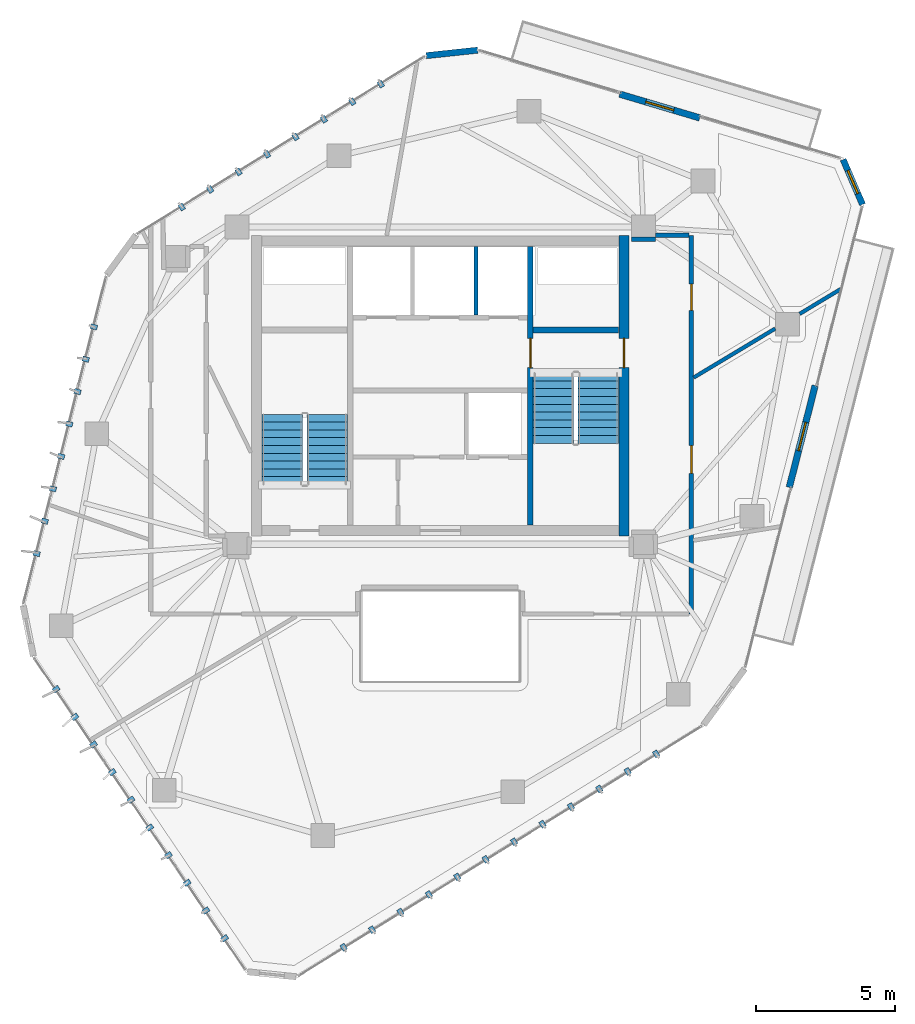
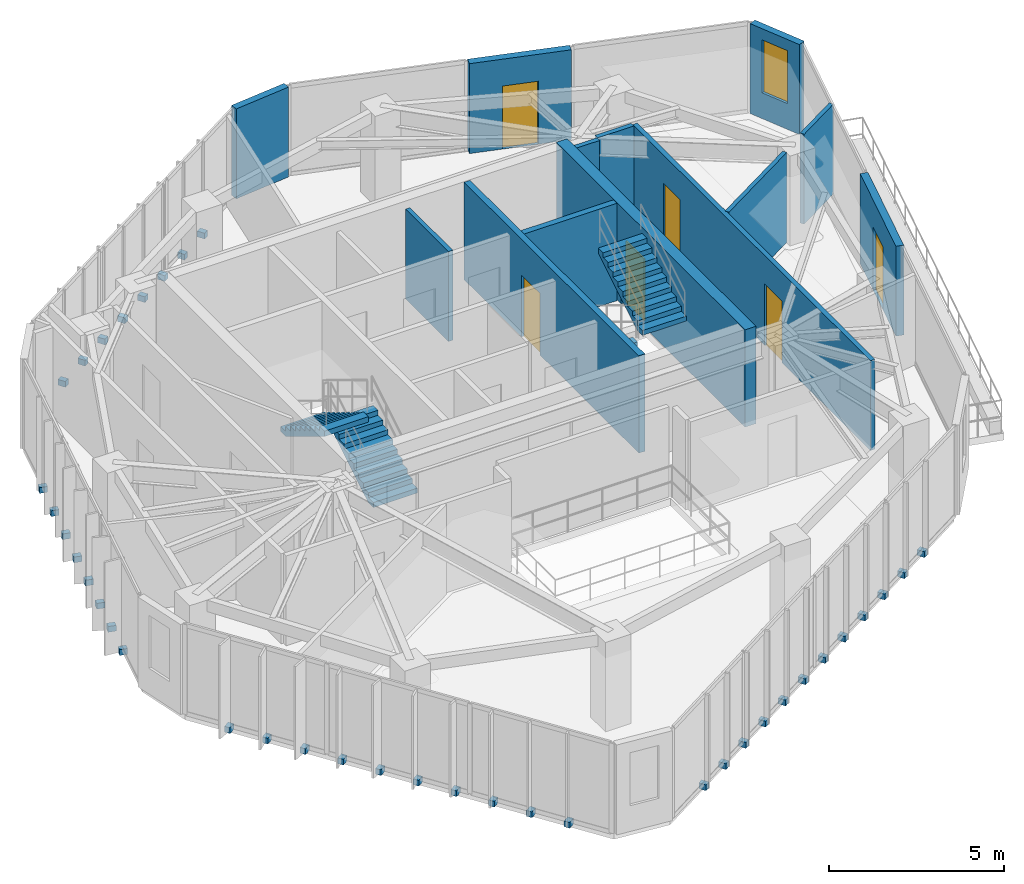
# One storey, part 18 of 20: 38 discrete accessories, 13 walls, 6 doors, 4 stair flights, 1 window, 7 openings, 2 elements without a shape of their own.
"""IFC4 building model written with IfcOpenShell, lengths in metres."""

from ifc_helpers import new_model, si_unit, direction, frame, frame_2d, origin, origin_2d, place, context, subcontext, project, spatial, polyline, rectangle, outline, extrude, source, transform, mapped, material, layer, layer_set, type_object, type_shapes, element, fill, aggregate, save


model = new_model("IFC4")

# Units and contexts
model_context = context("Model", 3, precision=1e-05, world=origin(), true_north=direction((0.0, 1.0)))
body_context = subcontext(model_context, "Body", "Model", "MODEL_VIEW")
ifc_project = project(units=[si_unit("LENGTHUNIT", "METRE"), si_unit("AREAUNIT", "SQUARE_METRE"), si_unit("VOLUMEUNIT", "CUBIC_METRE"), si_unit("PLANEANGLEUNIT", "RADIAN"), si_unit("MASSUNIT", "GRAM", prefix="KILO")], contexts=[model_context])

# Site, building, storey
site_placement = place(None, origin())
site = spatial("IfcSite", under=ifc_project, at=site_placement, CompositionType="ELEMENT")
building_placement = place(site_placement, origin())
building = spatial("IfcBuilding", under=site, at=building_placement, Name="Talar Marvaseh", CompositionType="ELEMENT")
storey_placement = place(building_placement, frame((0.0, 0.0, 251.0)))
storey = spatial("IfcBuildingStorey", under=building, at=storey_placement, Name="L66", CompositionType="ELEMENT", Elevation=251.0)

# Wall
ifc_material_1 = material(Name="Precast concrete C45/55", Category="concrete")
ifc_layer_1 = layer(ifc_material_1, 0.22509765625)
ifc_layer_set_1 = layer_set([ifc_layer_1], Name="Precast concrete C45/55")
wall_type_1 = type_object("IfcWallType", Name="Chamfered Hexagonal Corner Pier Wall Z4 225", PredefinedType="SOLIDWALL", material=ifc_layer_set_1)
wall_1_placement = place(storey_placement, frame((25.498291015625, 43.053466796875, 0.0), z_axis=(0.0, 0.0, 1.0), x_axis=(0.99429670988, 0.106649204036, 0.0)))
element("IfcWall", 1, at=wall_1_placement, inside=storey, type_object=wall_type_1, Name="L66 Chamfered Corner Limestone Pier 4", PredefinedType="SOLIDWALL", context=body_context, shape_type="SweptSolid", body=[
    extrude(rectangle(XDim=1.8564453125, YDim=0.22509765625, at=frame_2d((0.92822265625, 0.0))), origin(), (0.0, 0.0, 1.0), 3.139892578125),
])

# Wall, opening, window
wall_2_placement = place(storey_placement, frame((40.472412109375, 39.3212890625, 0.0), z_axis=(0.0, 0.0, 1.0), x_axis=(0.396013063417, -0.918244876709, 0.0)))
wall_2 = element("IfcWall", 2, at=wall_2_placement, inside=storey, type_object=wall_type_1, Name="L66 Chamfered Corner Limestone Pier 5", PredefinedType="SOLIDWALL", context=body_context, shape_type="SweptSolid", body=[
    extrude(rectangle(XDim=1.75830078125, YDim=0.22509765625, at=frame_2d((0.879150390625, 0.0))), origin(), (0.0, 0.0, 1.0), 3.139892578125),
])
opening_1_placement = place(wall_2_placement, frame((0.428955078125, 0.0, 0.89990234375)))
opening_1 = element("IfcOpeningElement", 3, at=opening_1_placement, cuts=wall_2, Name="Opening WN-CHM09", PredefinedType="OPENING", context=body_context, shape_type="SweptSolid", body=[
    extrude(rectangle(XDim=0.89990234375, YDim=1.85009765625, at=frame_2d((0.449951171875, 0.925048828125))), frame((0.0, 0.12255859375, 0.0), z_axis=(0.0, -1.0, 0.0), x_axis=(1.0, 0.0, 0.0)), (0.0, 0.0, 1.0), 0.2451171875),
])
ifc_material_2 = material(Name="Laminated Low-E Solar Glass", Category="glass")
window_type = type_object("IfcWindowType", Name="Zone 4 Chamfered Corner Slot Window 900x1850", PartitioningType="SINGLE_PANEL", PredefinedType="WINDOW", material=ifc_material_2)
shared_shape_1 = source(origin(), body_context, "Body", "SweptSolid", [
    extrude(rectangle(XDim=0.89990234375, YDim=1.85009765625, at=frame_2d((0.449951171875, 0.925048828125))), frame((0.0, 0.030029296875, 0.0), z_axis=(0.0, -1.0, 0.0), x_axis=(1.0, 0.0, 0.0)), (0.0, 0.0, 1.0), 0.06005859375),
])
type_shapes(window_type, [shared_shape_1])
window_placement = place(opening_1_placement, origin())
window = element("IfcWindow", 4, at=window_placement, inside=storey, type_object=window_type, Name="L66 Chamfered Corner Slot Window", OverallHeight=1.85009765625, OverallWidth=0.89990234375, PartitioningType="SINGLE_PANEL", PredefinedType="WINDOW", context=body_context, shape_type="MappedRepresentation", body=[
    mapped(shared_shape_1, transform((0.0, 0.0, 0.0), x_axis=(1.0, 0.0, 0.0), y_axis=(0.0, 1.0, 0.0), z_axis=(0.0, 0.0, 1.0), scale=1.0)),
])
fill(opening_1, window)

# Wall, openings, doors
ifc_material_3 = material(Name="Gypsum Board Partition Assembly")
ifc_layer_2 = layer(ifc_material_3, 0.155029296875)
ifc_layer_set_2 = layer_set([ifc_layer_2], Name="Gypsum Board Partition Assembly")
wall_type_2 = type_object("IfcWallType", Name="Corridor Fire-Rated Acoustic Partition 155", PredefinedType="PARTITIONING", material=ifc_layer_set_2)
wall_3_placement = place(storey_placement, frame((35.02001953125, 36.60009765625, 0.0), z_axis=(0.0, 0.0, 1.0), x_axis=(0.0, -1.0, 0.0)))
wall_3 = element("IfcWall", 5, at=wall_3_placement, inside=storey, type_object=wall_type_2, Name="L66 Interior Partition Wall", PredefinedType="PARTITIONING", context=body_context, shape_type="SweptSolid", body=[
    extrude(rectangle(XDim=13.60009765625, YDim=0.155029296875, at=frame_2d((6.800048828125, 0.0))), origin(), (0.0, 0.0, 1.0), 3.139892578125),
])
opening_2_placement = place(wall_3_placement, frame((7.552490234375, 0.0, 0.0)))
opening_2 = element("IfcOpeningElement", 6, at=opening_2_placement, cuts=wall_3, Name="Opening DR-RM100", PredefinedType="OPENING", context=body_context, shape_type="SweptSolid", body=[
    extrude(rectangle(XDim=1.0, YDim=2.14990234375, at=frame_2d((0.5, 1.074951171875))), frame((0.0, 0.08740234375, 0.0), z_axis=(0.0, -1.0, 0.0), x_axis=(1.0, 0.0, 0.0)), (0.0, 0.0, 1.0), 0.175048828125),
])
opening_3_placement = place(wall_3_placement, frame((1.74951171875, 0.0, 0.0)))
opening_3 = element("IfcOpeningElement", 7, at=opening_3_placement, cuts=wall_3, Name="Opening DR-WC095", PredefinedType="OPENING", context=body_context, shape_type="SweptSolid", body=[
    extrude(rectangle(XDim=0.949951171875, YDim=2.14990234375, at=frame_2d((0.47509765625, 1.074951171875))), frame((0.0, 0.08740234375, 0.0), z_axis=(0.0, -1.0, 0.0), x_axis=(1.0, 0.0, 0.0)), (0.0, 0.0, 1.0), 0.175048828125),
])
ifc_material_4 = material(Name="Acoustic Engineered Oak Timber", Category="wood")
door_type_1 = type_object("IfcDoorType", Name="Washroom and Service Room Door 950x2150", OperationType="NOTDEFINED", PredefinedType="DOOR", material=ifc_material_4)
shared_shape_2 = source(origin(), body_context, "Body", "SweptSolid", [
    extrude(rectangle(XDim=0.949951171875, YDim=2.14990234375, at=frame_2d((0.47509765625, 1.074951171875))), frame((0.0, 0.02490234375, 0.0), z_axis=(0.0, -1.0, 0.0), x_axis=(1.0, 0.0, 0.0)), (0.0, 0.0, 1.0), 0.050048828125),
])
type_shapes(door_type_1, [shared_shape_2])
door_1_placement = place(opening_3_placement, origin())
door_1 = element("IfcDoor", 8, at=door_1_placement, inside=storey, type_object=door_type_1, Name="L66 Collection Conservation Store Door", OperationType="SINGLE_SWING_RIGHT", OverallHeight=2.14990234375, OverallWidth=0.949951171875, PredefinedType="DOOR", context=body_context, shape_type="MappedRepresentation", body=[
    mapped(shared_shape_2, transform((0.0, 0.0, 0.0), x_axis=(1.0, 0.0, 0.0), y_axis=(0.0, 1.0, 0.0), z_axis=(0.0, 0.0, 1.0), scale=1.0)),
])
fill(opening_3, door_1)
door_type_2 = type_object("IfcDoorType", Name="Corridor Fire-Rated Gallery Door 1000x2150", OperationType="NOTDEFINED", PredefinedType="DOOR", material=ifc_material_4)
shared_shape_3 = source(origin(), body_context, "Body", "SweptSolid", [
    extrude(rectangle(XDim=1.0, YDim=2.14990234375, at=frame_2d((0.5, 1.074951171875))), frame((0.0, 0.02490234375, 0.0), z_axis=(0.0, -1.0, 0.0), x_axis=(1.0, 0.0, 0.0)), (0.0, 0.0, 1.0), 0.050048828125),
])
type_shapes(door_type_2, [shared_shape_3])
door_2_placement = place(opening_2_placement, origin())
door_2 = element("IfcDoor", 9, at=door_2_placement, inside=storey, type_object=door_type_2, Name="L66 Artisan Craft Showroom Door", OperationType="SINGLE_SWING_LEFT", OverallHeight=2.14990234375, OverallWidth=1.0, PredefinedType="DOOR", context=body_context, shape_type="MappedRepresentation", body=[
    mapped(shared_shape_3, transform((0.0, 0.0, 0.0), x_axis=(1.0, 0.0, 0.0), y_axis=(0.0, 1.0, 0.0), z_axis=(0.0, 0.0, 1.0), scale=1.0)),
])
fill(opening_2, door_2)

# Walls
wall_4_placement = place(storey_placement, frame((32.8701171875, 36.464599609375, 0.0), z_axis=(0.0, 0.0, 1.0), x_axis=(0.999986873463, -0.005123758532, 0.0)))
element("IfcWall", 10, at=wall_4_placement, inside=storey, type_object=wall_type_2, Name="L66 Interior Partition Wall", PredefinedType="PARTITIONING", context=body_context, shape_type="SweptSolid", body=[
    extrude(rectangle(XDim=0.857666015625, YDim=0.155029296875, at=frame_2d((0.4287109375, 0.0))), origin(), (0.0, 0.0, 1.0), 3.139892578125),
])
wall_5_placement = place(storey_placement, frame((33.739990234375, 36.60009765625, 0.0), z_axis=(0.0, 0.0, 1.0), x_axis=(1.0, 0.0, 0.0)))
element("IfcWall", 11, at=wall_5_placement, inside=storey, type_object=wall_type_2, Name="L66 Interior Partition Wall", PredefinedType="PARTITIONING", context=body_context, shape_type="SweptSolid", body=[
    extrude(rectangle(XDim=1.196533203125, YDim=0.155029296875, at=frame_2d((0.59814453125, 0.0))), origin(), (0.0, 0.0, 1.0), 3.139892578125),
])
ifc_layer_3 = layer(ifc_material_1, 0.14501953125)
ifc_layer_set_3 = layer_set([ifc_layer_3], Name="Precast concrete C45/55")
wall_type_3 = type_object("IfcWallType", Name="Fire-Rated Lift Divider Wall 145", PredefinedType="SOLIDWALL", material=ifc_layer_set_3)
wall_6_placement = place(storey_placement, frame((27.280029296875, 33.743408203125, 0.0), z_axis=(0.0, 0.0, 1.0), x_axis=(0.0, 1.0, 0.0)))
element("IfcWall", 12, at=wall_6_placement, inside=storey, type_object=wall_type_3, Name="L66 FFL-2/SVL-1 Divider", PredefinedType="SOLIDWALL", context=body_context, shape_type="SweptSolid", body=[
    extrude(rectangle(XDim=2.45654296875, YDim=0.14501953125, at=frame_2d((1.228271484375, 0.0))), origin(), (0.0, 0.0, 1.0), 3.139892578125),
])
ifc_layer_4 = layer(ifc_material_3, 0.135009765625)
ifc_layer_set_4 = layer_set([ifc_layer_4], Name="Gypsum Board Partition Assembly")
wall_type_4 = type_object("IfcWallType", Name="Gallery High-Acoustic Partition 135", PredefinedType="PARTITIONING", material=ifc_layer_set_4)
wall_7_placement = place(storey_placement, frame((35.103515625, 31.490234375, 0.0), z_axis=(0.0, 0.0, 1.0), x_axis=(0.856994170777, 0.515326101857, 0.0)))
element("IfcWall", 13, at=wall_7_placement, inside=storey, type_object=wall_type_4, Name="L66 Interior Partition Wall", PredefinedType="PARTITIONING", context=body_context, shape_type="SweptSolid", body=[
    extrude(rectangle(XDim=3.414794921875, YDim=0.135009765625, at=frame_2d((1.70751953125, 0.0))), origin(), (0.0, 0.0, 1.0), 3.139892578125),
])
wall_8_placement = place(storey_placement, frame((38.909912109375, 33.780029296875, 0.0), z_axis=(0.0, 0.0, 1.0), x_axis=(0.856296257726, 0.516484964935, 0.0)))
element("IfcWall", 14, at=wall_8_placement, inside=storey, type_object=wall_type_4, Name="L66 Interior Partition Wall", PredefinedType="PARTITIONING", context=body_context, shape_type="SweptSolid", body=[
    extrude(rectangle(XDim=1.7314453125, YDim=0.135009765625, at=frame_2d((0.86572265625, 0.0))), origin(), (0.0, 0.0, 1.0), 3.139892578125),
])

# Wall, opening, door
ifc_material_5 = material(Name="Concrete C50/60", Category="concrete")
ifc_layer_5 = layer(ifc_material_5, 0.199951171875)
ifc_layer_set_5 = layer_set([ifc_layer_5], Name="Concrete C50/60")
wall_type_5 = type_object("IfcWallType", Name="Stair Shaft Structural Concrete Shear Wall 200", PredefinedType="SHEAR", material=ifc_layer_set_5)
wall_9_placement = place(storey_placement, frame((29.239990234375, 26.199951171875, 0.0), z_axis=(0.0, 0.0, 1.0), x_axis=(0.0, 1.0, 0.0)))
wall_9 = element("IfcWall", 15, at=wall_9_placement, inside=storey, type_object=wall_type_5, Name="L66 Core East Stair Shear Wall", PredefinedType="SHEAR", context=body_context, shape_type="SweptSolid", body=[
    extrude(rectangle(XDim=10.0, YDim=0.199951171875, at=frame_2d((5.0, 0.0))), origin(), (0.0, 0.0, 1.0), 3.39990234375),
])
opening_4_placement = place(wall_9_placement, frame((5.64990234375, 0.0, 0.0)))
opening_4 = element("IfcOpeningElement", 16, at=opening_4_placement, cuts=wall_9, Name="Opening DR-ST105", PredefinedType="OPENING", context=body_context, shape_type="SweptSolid", body=[
    extrude(rectangle(XDim=1.050048828125, YDim=2.14990234375, at=frame_2d((0.52490234375, 1.074951171875))), frame((0.0, 0.10986328125, 0.0), z_axis=(0.0, -1.0, 0.0), x_axis=(1.0, 0.0, 0.0)), (0.0, 0.0, 1.0), 0.219970703125),
])
ifc_material_6 = material(Name="Fire-Rated Steel Door Leaf", Category="steel")
door_type_3 = type_object("IfcDoorType", Name="Protected Exit Stair Fire Door 1050x2150", OperationType="NOTDEFINED", PredefinedType="DOOR", material=ifc_material_6)
shared_shape_4 = source(origin(), body_context, "Body", "SweptSolid", [
    extrude(rectangle(XDim=1.050048828125, YDim=2.14990234375, at=frame_2d((0.52490234375, 1.074951171875))), frame((0.0, 0.02490234375, 0.0), z_axis=(0.0, -1.0, 0.0), x_axis=(1.0, 0.0, 0.0)), (0.0, 0.0, 1.0), 0.050048828125),
])
type_shapes(door_type_3, [shared_shape_4])
door_3_placement = place(opening_4_placement, origin())
door_3 = element("IfcDoor", 17, at=door_3_placement, inside=storey, type_object=door_type_3, Name="L66 Firefighting Lobby to Stair ST-2 Door", OperationType="SINGLE_SWING_LEFT", OverallHeight=2.14990234375, OverallWidth=1.050048828125, PredefinedType="DOOR", context=body_context, shape_type="MappedRepresentation", body=[
    mapped(shared_shape_4, transform((0.0, 0.0, 0.0), x_axis=(1.0, 0.0, 0.0), y_axis=(0.0, 1.0, 0.0), z_axis=(0.0, 0.0, 1.0), scale=1.0)),
])
fill(opening_4, door_3)

# Wall
wall_10_placement = place(storey_placement, frame((29.340087890625, 33.199951171875, 0.0), z_axis=(0.0, 0.0, 1.0), x_axis=(1.0, 0.0, 0.0)))
element("IfcWall", 18, at=wall_10_placement, inside=storey, type_object=wall_type_5, Name="L66 Stair ST-2 North Shear Wall", PredefinedType="SHEAR", context=body_context, shape_type="SweptSolid", body=[
    extrude(rectangle(XDim=3.059814453125, YDim=0.199951171875, at=frame_2d((1.52978515625, 0.0))), origin(), (0.0, 0.0, 1.0), 3.39990234375),
])

# Wall, opening, door
ifc_layer_6 = layer(ifc_material_1, 0.235107421875)
ifc_layer_set_6 = layer_set([ifc_layer_6], Name="Precast concrete C45/55")
wall_type_6 = type_object("IfcWallType", Name="Terrace Threshold Glazed Spandrel Wall 235", PredefinedType="SOLIDWALL", material=ifc_layer_set_6)
wall_11_placement = place(storey_placement, frame((32.44677734375, 41.673095703125, 0.0), z_axis=(0.0, 0.0, 1.0), x_axis=(0.958322169895, -0.285689724506, 0.0)))
wall_11 = element("IfcWall", 19, at=wall_11_placement, inside=storey, type_object=wall_type_6, Name="L66 Terrace Threshold Wall", PredefinedType="SOLIDWALL", context=body_context, shape_type="SweptSolid", body=[
    extrude(rectangle(XDim=2.99951171875, YDim=0.235107421875, at=frame_2d((1.499755859375, 0.0))), origin(), (0.0, 0.0, 1.0), 3.139892578125),
])
opening_5_placement = place(wall_11_placement, frame((0.97509765625, 0.0, 0.0)))
opening_5 = element("IfcOpeningElement", 20, at=opening_5_placement, cuts=wall_11, Name="Opening DR-TER10", PredefinedType="OPENING", context=body_context, shape_type="SweptSolid", body=[
    extrude(rectangle(XDim=1.050048828125, YDim=2.199951171875, at=frame_2d((0.52490234375, 1.10009765625))), frame((0.0, 0.12744140625, 0.0), z_axis=(0.0, -1.0, 0.0), x_axis=(1.0, 0.0, 0.0)), (0.0, 0.0, 1.0), 0.255126953125),
])
ifc_material_7 = material(Name="Architectural Aluminium", Category="aluminium")
door_type_4 = type_object("IfcDoorType", Name="External Terrace Weatherproof Glazed Door 1050x2200", OperationType="NOTDEFINED", PredefinedType="DOOR", material=ifc_material_7)
shared_shape_5 = source(origin(), body_context, "Body", "SweptSolid", [
    extrude(rectangle(XDim=1.050048828125, YDim=2.199951171875, at=frame_2d((0.52490234375, 1.10009765625))), frame((0.0, 0.02490234375, 0.0), z_axis=(0.0, -1.0, 0.0), x_axis=(1.0, 0.0, 0.0)), (0.0, 0.0, 1.0), 0.050048828125),
])
type_shapes(door_type_4, [shared_shape_5])
door_4_placement = place(opening_5_placement, origin())
door_4 = element("IfcDoor", 21, at=door_4_placement, inside=storey, type_object=door_type_4, Name="L66 External Planted Terrace Access Door", OperationType="SINGLE_SWING_LEFT", OverallHeight=2.199951171875, OverallWidth=1.050048828125, PredefinedType="DOOR", context=body_context, shape_type="MappedRepresentation", body=[
    mapped(shared_shape_5, transform((0.0, 0.0, 0.0), x_axis=(1.0, 0.0, 0.0), y_axis=(0.0, 1.0, 0.0), z_axis=(0.0, 0.0, 1.0), scale=1.0)),
])
fill(opening_5, door_4)

wall_12_placement = place(storey_placement, frame((39.466552734375, 31.202392578125, 0.0), z_axis=(0.0, 0.0, 1.0), x_axis=(-0.246295727505, -0.969194724817, 0.0)))
wall_12 = element("IfcWall", 22, at=wall_12_placement, inside=storey, type_object=wall_type_6, Name="L66 Terrace Threshold Wall", PredefinedType="SOLIDWALL", context=body_context, shape_type="SweptSolid", body=[
    extrude(rectangle(XDim=3.771728515625, YDim=0.235107421875, at=frame_2d((1.8857421875, 0.0))), origin(), (0.0, 0.0, 1.0), 3.139892578125),
])
opening_6_placement = place(wall_12_placement, frame((1.361083984375, 0.0, 0.0)))
opening_6 = element("IfcOpeningElement", 23, at=opening_6_placement, cuts=wall_12, Name="Opening DR-TER10", PredefinedType="OPENING", context=body_context, shape_type="SweptSolid", body=[
    extrude(rectangle(XDim=1.050048828125, YDim=2.199951171875, at=frame_2d((0.52490234375, 1.10009765625))), frame((0.0, 0.12744140625, 0.0), z_axis=(0.0, -1.0, 0.0), x_axis=(1.0, 0.0, 0.0)), (0.0, 0.0, 1.0), 0.255126953125),
])
door_5_placement = place(opening_6_placement, origin())
door_5 = element("IfcDoor", 24, at=door_5_placement, inside=storey, type_object=door_type_4, Name="L66 External Planted Terrace Access Door", OperationType="SINGLE_SWING_RIGHT", OverallHeight=2.199951171875, OverallWidth=1.050048828125, PredefinedType="DOOR", context=body_context, shape_type="MappedRepresentation", body=[
    mapped(shared_shape_5, transform((0.0, 0.0, 0.0), x_axis=(1.0, 0.0, 0.0), y_axis=(0.0, 1.0, 0.0), z_axis=(0.0, 0.0, 1.0), scale=1.0)),
])
fill(opening_6, door_5)

ifc_layer_7 = layer(ifc_material_5, 0.360107421875)
ifc_layer_set_7 = layer_set([ifc_layer_7], Name="Concrete C50/60")
wall_type_7 = type_object("IfcWallType", Name="Upper Core Reinforced Concrete Shear Wall 360", PredefinedType="SHEAR", material=ifc_layer_set_7)
wall_13_placement = place(storey_placement, frame((32.60009765625, 36.60009765625, 0.0), z_axis=(0.0, 0.0, 1.0), x_axis=(0.0, -1.0, 0.0)))
wall_13 = element("IfcWall", 25, at=wall_13_placement, inside=storey, type_object=wall_type_7, Name="L66 East Core Shear Wall", PredefinedType="SHEAR", context=body_context, shape_type="SweptSolid", body=[
    extrude(rectangle(XDim=10.800048828125, YDim=0.360107421875, at=frame_2d((5.39990234375, 0.0))), origin(), (0.0, 0.0, 1.0), 3.39990234375),
])
opening_7_placement = place(wall_13_placement, frame((3.699951171875, 0.0, 0.0)))
opening_7 = element("IfcOpeningElement", 26, at=opening_7_placement, cuts=wall_13, Name="Opening DR-ST105", PredefinedType="OPENING", context=body_context, shape_type="SweptSolid", body=[
    extrude(rectangle(XDim=1.050048828125, YDim=2.14990234375, at=frame_2d((0.52490234375, 1.074951171875))), frame((0.0, 0.18994140625, 0.0), z_axis=(0.0, -1.0, 0.0), x_axis=(1.0, 0.0, 0.0)), (0.0, 0.0, 1.0), 0.380126953125),
])
door_6_placement = place(opening_7_placement, origin())
door_6 = element("IfcDoor", 27, at=door_6_placement, inside=storey, type_object=door_type_3, Name="L66 Stair ST-2 Corridor Exit Door", OperationType="SINGLE_SWING_LEFT", OverallHeight=2.14990234375, OverallWidth=1.050048828125, PredefinedType="DOOR", context=body_context, shape_type="MappedRepresentation", body=[
    mapped(shared_shape_4, transform((0.0, 0.0, 0.0), x_axis=(1.0, 0.0, 0.0), y_axis=(0.0, 1.0, 0.0), z_axis=(0.0, 0.0, 1.0), scale=1.0)),
])
fill(opening_7, door_6)

# Stair, stair flights
ifc_material_8 = material(Name="Concrete C40/50", Category="concrete")
stair_type = type_object("IfcStairType", Name="Reinforced Concrete High-Rise Exit Stair Type C", PredefinedType="HALF_TURN_STAIR", material=ifc_material_8)
stair_1_placement = place(storey_placement, origin())
stair_1 = element("IfcStair", 28, at=stair_1_placement, inside=storey, type_object=stair_type, Name="L66 Tower West Core Exit Stair", PredefinedType="HALF_TURN_STAIR")
ifc_layer_8 = layer(ifc_material_8, 0.159912109375)
ifc_layer_set_8 = layer_set([ifc_layer_8], Name="Concrete C40/50")
stair_flight_type = type_object("IfcStairFlightType", Name="Reinforced Concrete Straight Stair Flight 160", PredefinedType="STRAIGHT", material=ifc_layer_set_8)
stair_flight_1_placement = place(storey_placement, frame((21.93505859375, 27.64990234375, 0.0), z_axis=(0.0, 0.0, 1.0), x_axis=(0.0, 1.0, 0.0)))
stair_flight_1 = element("IfcStairFlight", 29, at=stair_flight_1_placement, type_object=stair_flight_type, Name="ST-1 flight 1", NumberOfRisers=10, NumberOfTreads=9, PredefinedType="STRAIGHT", RiserHeight=0.17, TreadLength=0.28, context=body_context, shape_type="SweptSolid", body=[
    extrude(outline(polyline([(0.0, 0.0), (0.0, 0.169921875), (0.280029296875, 0.169921875), (0.280029296875, 0.340087890625), (0.56005859375, 0.340087890625), (0.56005859375, 0.510009765625), (0.840087890625, 0.510009765625), (0.840087890625, 0.679931640625), (1.1201171875, 0.679931640625), (1.1201171875, 0.85009765625), (1.39990234375, 0.85009765625), (1.39990234375, 1.02001953125), (1.679931640625, 1.02001953125), (1.679931640625, 1.18994140625), (1.9599609375, 1.18994140625), (1.9599609375, 1.360107421875), (2.239990234375, 1.360107421875), (2.239990234375, 1.530029296875), (2.52001953125, 1.530029296875), (2.52001953125, 1.699951171875), (2.52001953125, 1.343017578125), (0.30810546875, 0.0), (0.0, 0.0)])), frame((0.0, 0.72509765625, 0.0), z_axis=(0.0, -1.0, 0.0), x_axis=(1.0, 0.0, 0.0)), (0.0, 0.0, 1.0), 1.449951171875),
])
stair_flight_2_placement = place(storey_placement, frame((20.324951171875, 30.169921875, 1.699951171875), z_axis=(0.0, 0.0, 1.0), x_axis=(0.0, -1.0, 0.0)))
stair_flight_2 = element("IfcStairFlight", 30, at=stair_flight_2_placement, type_object=stair_flight_type, Name="ST-1 flight 2", NumberOfRisers=10, NumberOfTreads=9, PredefinedType="STRAIGHT", RiserHeight=0.17, TreadLength=0.28, context=body_context, shape_type="SweptSolid", body=[
    extrude(outline(polyline([(0.0, 0.0), (0.0, 0.169921875), (0.280029296875, 0.169921875), (0.280029296875, 0.340087890625), (0.56005859375, 0.340087890625), (0.56005859375, 0.510009765625), (0.840087890625, 0.510009765625), (0.840087890625, 0.679931640625), (1.1201171875, 0.679931640625), (1.1201171875, 0.85009765625), (1.39990234375, 0.85009765625), (1.39990234375, 1.02001953125), (1.679931640625, 1.02001953125), (1.679931640625, 1.18994140625), (1.9599609375, 1.18994140625), (1.9599609375, 1.360107421875), (2.239990234375, 1.360107421875), (2.239990234375, 1.530029296875), (2.52001953125, 1.530029296875), (2.52001953125, 1.699951171875), (2.52001953125, 1.343017578125), (0.30810546875, 0.0), (0.0, 0.0)])), frame((0.0, 0.72509765625, 0.0), z_axis=(0.0, -1.0, 0.0), x_axis=(1.0, 0.0, 0.0)), (0.0, 0.0, 1.0), 1.449951171875),
])
aggregate(stair_1, [stair_flight_1, stair_flight_2])

stair_2_placement = place(storey_placement, origin())
stair_2 = element("IfcStair", 31, at=stair_2_placement, inside=storey, type_object=stair_type, Name="L66 Tower East Core Exit Stair", PredefinedType="HALF_TURN_STAIR")
stair_flight_3_placement = place(storey_placement, frame((30.06494140625, 31.64990234375, 0.0), z_axis=(0.0, 0.0, 1.0), x_axis=(0.0, -1.0, 0.0)))
stair_flight_3 = element("IfcStairFlight", 32, at=stair_flight_3_placement, type_object=stair_flight_type, Name="ST-2 flight 1", NumberOfRisers=10, NumberOfTreads=9, PredefinedType="STRAIGHT", RiserHeight=0.17, TreadLength=0.28, context=body_context, shape_type="SweptSolid", body=[
    extrude(outline(polyline([(0.0, 0.0), (0.0, 0.169921875), (0.280029296875, 0.169921875), (0.280029296875, 0.340087890625), (0.56005859375, 0.340087890625), (0.56005859375, 0.510009765625), (0.840087890625, 0.510009765625), (0.840087890625, 0.679931640625), (1.1201171875, 0.679931640625), (1.1201171875, 0.85009765625), (1.39990234375, 0.85009765625), (1.39990234375, 1.02001953125), (1.679931640625, 1.02001953125), (1.679931640625, 1.18994140625), (1.9599609375, 1.18994140625), (1.9599609375, 1.360107421875), (2.239990234375, 1.360107421875), (2.239990234375, 1.530029296875), (2.52001953125, 1.530029296875), (2.52001953125, 1.699951171875), (2.52001953125, 1.343017578125), (0.30810546875, 0.0), (0.0, 0.0)])), frame((0.0, 0.72509765625, 0.0), z_axis=(0.0, -1.0, 0.0), x_axis=(1.0, 0.0, 0.0)), (0.0, 0.0, 1.0), 1.449951171875),
])
stair_flight_4_placement = place(storey_placement, frame((31.675048828125, 29.1298828125, 1.699951171875), z_axis=(0.0, 0.0, 1.0), x_axis=(0.0, 1.0, 0.0)))
stair_flight_4 = element("IfcStairFlight", 33, at=stair_flight_4_placement, type_object=stair_flight_type, Name="ST-2 flight 2", NumberOfRisers=10, NumberOfTreads=9, PredefinedType="STRAIGHT", RiserHeight=0.17, TreadLength=0.28, context=body_context, shape_type="SweptSolid", body=[
    extrude(outline(polyline([(0.0, 0.0), (0.0, 0.169921875), (0.280029296875, 0.169921875), (0.280029296875, 0.340087890625), (0.56005859375, 0.340087890625), (0.56005859375, 0.510009765625), (0.840087890625, 0.510009765625), (0.840087890625, 0.679931640625), (1.1201171875, 0.679931640625), (1.1201171875, 0.85009765625), (1.39990234375, 0.85009765625), (1.39990234375, 1.02001953125), (1.679931640625, 1.02001953125), (1.679931640625, 1.18994140625), (1.9599609375, 1.18994140625), (1.9599609375, 1.360107421875), (2.239990234375, 1.360107421875), (2.239990234375, 1.530029296875), (2.52001953125, 1.530029296875), (2.52001953125, 1.699951171875), (2.52001953125, 1.343017578125), (0.30810546875, 0.0), (0.0, 0.0)])), frame((0.0, 0.72509765625, 0.0), z_axis=(0.0, -1.0, 0.0), x_axis=(1.0, 0.0, 0.0)), (0.0, 0.0, 1.0), 1.449951171875),
])
aggregate(stair_2, [stair_flight_3, stair_flight_4])

# Discrete accessories
ifc_material_9 = material(Name="Stainless Steel Grade 316", Category="steel")
discrete_accessory_type = type_object("IfcDiscreteAccessoryType", Name="Stainless Slab-Edge Fin Mounting Bracket", PredefinedType="BRACKET", material=ifc_material_9)
shared_shape_6 = source(origin(), body_context, "Body", "SweptSolid", [
    extrude(rectangle(XDim=0.239990234375, YDim=0.179931640625, at=origin_2d()), origin(), (0.0, 0.0, 1.0), 0.199951171875),
])
type_shapes(discrete_accessory_type, [shared_shape_6])
for number, where, z_axis, x_axis, name in (
    (34, (18.25634765625, 11.353515625, -0.18017578125), (0.0, 0.0, 1.0), (-0.828060334622, -0.560638994563, 0.0), "L66 Vertical Fin Slab-Edge Bracket"),
    (35, (17.583740234375, 12.347412109375, -0.18017578125), (0.0, 0.0, 1.0), (-0.828060334622, -0.560638994563, 0.0), "L66 Vertical Fin Slab-Edge Bracket"),
    (36, (16.910888671875, 13.341064453125, -0.18017578125), (0.0, 0.0, 1.0), (-0.828060334622, -0.560638994563, 0.0), "L66 Vertical Fin Slab-Edge Bracket"),
    (37, (16.23828125, 14.334716796875, -0.18017578125), (0.0, 0.0, 1.0), (-0.828060334622, -0.560638994563, 0.0), "L66 Vertical Fin Slab-Edge Bracket"),
    (38, (15.565673828125, 15.32861328125, -0.18017578125), (0.0, 0.0, 1.0), (-0.828060334622, -0.560638994563, 0.0), "L66 Vertical Fin Slab-Edge Bracket"),
    (39, (14.892822265625, 16.322265625, -0.18017578125), (0.0, 0.0, 1.0), (-0.828060334622, -0.560638994563, 0.0), "L66 Vertical Fin Slab-Edge Bracket"),
    (40, (14.22021484375, 17.31591796875, -0.18017578125), (0.0, 0.0, 1.0), (-0.828060334622, -0.560638994563, 0.0), "L66 Vertical Fin Slab-Edge Bracket"),
    (41, (13.547607421875, 18.3095703125, -0.18017578125), (0.0, 0.0, 1.0), (-0.828060334622, -0.560638994563, 0.0), "L66 Vertical Fin Slab-Edge Bracket"),
    (42, (12.874755859375, 19.30322265625, -0.18017578125), (0.0, 0.0, 1.0), (-0.828060334622, -0.560638994563, 0.0), "L66 Vertical Fin Slab-Edge Bracket"),
    (43, (12.2021484375, 20.297119140625, -0.18017578125), (0.0, 0.0, 1.0), (-0.828060334622, -0.560638994563, 0.0), "L66 Vertical Fin Slab-Edge Bracket"),
    (44, (11.501953125, 25.16796875, -0.18017578125), (0.0, 0.0, 1.0), (-0.969530919263, 0.244968970675, 0.0), "L66 Vertical Fin Slab-Edge Bracket"),
    (45, (11.7958984375, 26.331298828125, -0.18017578125), (0.0, 0.0, 1.0), (-0.969530919263, 0.244968970675, 0.0), "L66 Vertical Fin Slab-Edge Bracket"),
    (46, (12.090087890625, 27.494873046875, -0.18017578125), (0.0, 0.0, 1.0), (-0.969530919263, 0.244968970675, 0.0), "L66 Vertical Fin Slab-Edge Bracket"),
    (47, (12.384033203125, 28.658203125, -0.18017578125), (0.0, 0.0, 1.0), (-0.969530919263, 0.244968970675, 0.0), "L66 Vertical Fin Slab-Edge Bracket"),
    (48, (12.677978515625, 29.82177734375, -0.18017578125), (0.0, 0.0, 1.0), (-0.969530919263, 0.244968970675, 0.0), "L66 Vertical Fin Slab-Edge Bracket"),
    (49, (12.971923828125, 30.985107421875, -0.18017578125), (0.0, 0.0, 1.0), (-0.969530919263, 0.244968970675, 0.0), "L66 Vertical Fin Slab-Edge Bracket"),
    (50, (13.26611328125, 32.148681640625, -0.18017578125), (0.0, 0.0, 1.0), (-0.969530919263, 0.244968970675, 0.0), "L66 Vertical Fin Slab-Edge Bracket"),
    (51, (13.56005859375, 33.31201171875, -0.18017578125), (0.0, 0.0, 1.0), (-0.969530919263, 0.244968970675, 0.0), "L66 Vertical Fin Slab-Edge Bracket"),
    (52, (16.71630859375, 37.61669921875, -0.18017578125), (0.0, 0.0, 1.0), (-0.525174629961, 0.850994481795, 0.0), "L66 Vertical Fin Slab-Edge Bracket"),
    (53, (17.7373046875, 38.246826171875, -0.18017578125), (0.0, 0.0, 1.0), (-0.525174629961, 0.850994481795, 0.0), "L66 Vertical Fin Slab-Edge Bracket"),
    (54, (18.758544921875, 38.877197265625, -0.18017578125), (0.0, 0.0, 1.0), (-0.525174629961, 0.850994481795, 0.0), "L66 Vertical Fin Slab-Edge Bracket"),
    (55, (19.77978515625, 39.50732421875, -0.18017578125), (0.0, 0.0, 1.0), (-0.525174629961, 0.850994481795, 0.0), "L66 Vertical Fin Slab-Edge Bracket"),
    (56, (20.80078125, 40.1376953125, -0.18017578125), (0.0, 0.0, 1.0), (-0.525174629961, 0.850994481795, 0.0), "L66 Vertical Fin Slab-Edge Bracket"),
    (57, (21.822021484375, 40.767822265625, -0.18017578125), (0.0, 0.0, 1.0), (-0.525174629961, 0.850994481795, 0.0), "L66 Vertical Fin Slab-Edge Bracket"),
    (58, (22.84326171875, 41.39794921875, -0.18017578125), (0.0, 0.0, 1.0), (-0.525174629961, 0.850994481795, 0.0), "L66 Vertical Fin Slab-Edge Bracket"),
    (59, (23.864501953125, 42.0283203125, -0.18017578125), (0.0, 0.0, 1.0), (-0.525174629961, 0.850994481795, 0.0), "L66 Vertical Fin Slab-Edge Bracket"),
    (60, (33.7548828125, 17.975830078125, -0.18017578125), (0.0, 0.0, 1.0), (0.526362330098, -0.850260370389, 0.0), "L66 Vertical Fin Slab-Edge Bracket"),
    (61, (32.734619140625, 17.34423828125, -0.18017578125), (0.0, 0.0, 1.0), (0.526362330098, -0.850260370389, 0.0), "L66 Vertical Fin Slab-Edge Bracket"),
    (62, (31.714111328125, 16.712646484375, -0.18017578125), (0.0, 0.0, 1.0), (0.526362330098, -0.850260370389, 0.0), "L66 Vertical Fin Slab-Edge Bracket"),
    (63, (30.69384765625, 16.0810546875, -0.18017578125), (0.0, 0.0, 1.0), (0.526362330098, -0.850260370389, 0.0), "L66 Vertical Fin Slab-Edge Bracket"),
    (64, (29.673583984375, 15.449462890625, -0.18017578125), (0.0, 0.0, 1.0), (0.526362330098, -0.850260370389, 0.0), "L66 Vertical Fin Slab-Edge Bracket"),
    (65, (28.6533203125, 14.81787109375, -0.18017578125), (0.0, 0.0, 1.0), (0.526362330098, -0.850260370389, 0.0), "L66 Vertical Fin Slab-Edge Bracket"),
    (66, (27.6328125, 14.186279296875, -0.18017578125), (0.0, 0.0, 1.0), (0.526362330098, -0.850260370389, 0.0), "L66 Vertical Fin Slab-Edge Bracket"),
    (67, (26.612548828125, 13.5546875, -0.18017578125), (0.0, 0.0, 1.0), (0.526362330098, -0.850260370389, 0.0), "L66 Vertical Fin Slab-Edge Bracket"),
    (68, (25.59228515625, 12.923095703125, -0.18017578125), (0.0, 0.0, 1.0), (0.526362330098, -0.850260370389, 0.0), "L66 Vertical Fin Slab-Edge Bracket"),
    (69, (24.572021484375, 12.29150390625, -0.18017578125), (0.0, 0.0, 1.0), (0.526362330098, -0.850260370389, 0.0), "L66 Vertical Fin Slab-Edge Bracket"),
    (70, (23.551513671875, 11.659912109375, -0.18017578125), (0.0, 0.0, 1.0), (0.526362330098, -0.850260370389, 0.0), "L66 Vertical Fin Slab-Edge Bracket"),
    (71, (22.53125, 11.028076171875, -0.18017578125), (0.0, 0.0, 1.0), (0.526362330098, -0.850260370389, 0.0), "L66 Vertical Fin Slab-Edge Bracket"),
):
    element("IfcDiscreteAccessory", number, at=place(storey_placement, frame(where, z_axis=z_axis, x_axis=x_axis)), inside=storey, type_object=discrete_accessory_type, Name=name, PredefinedType="BRACKET", context=body_context, shape_type="MappedRepresentation", body=[
        mapped(shared_shape_6, transform((0.0, 0.0, 0.0), x_axis=(1.0, 0.0, 0.0), y_axis=(0.0, 1.0, 0.0), z_axis=(0.0, 0.0, 1.0), scale=1.0)),
    ])

save(model, "model.ifc")
